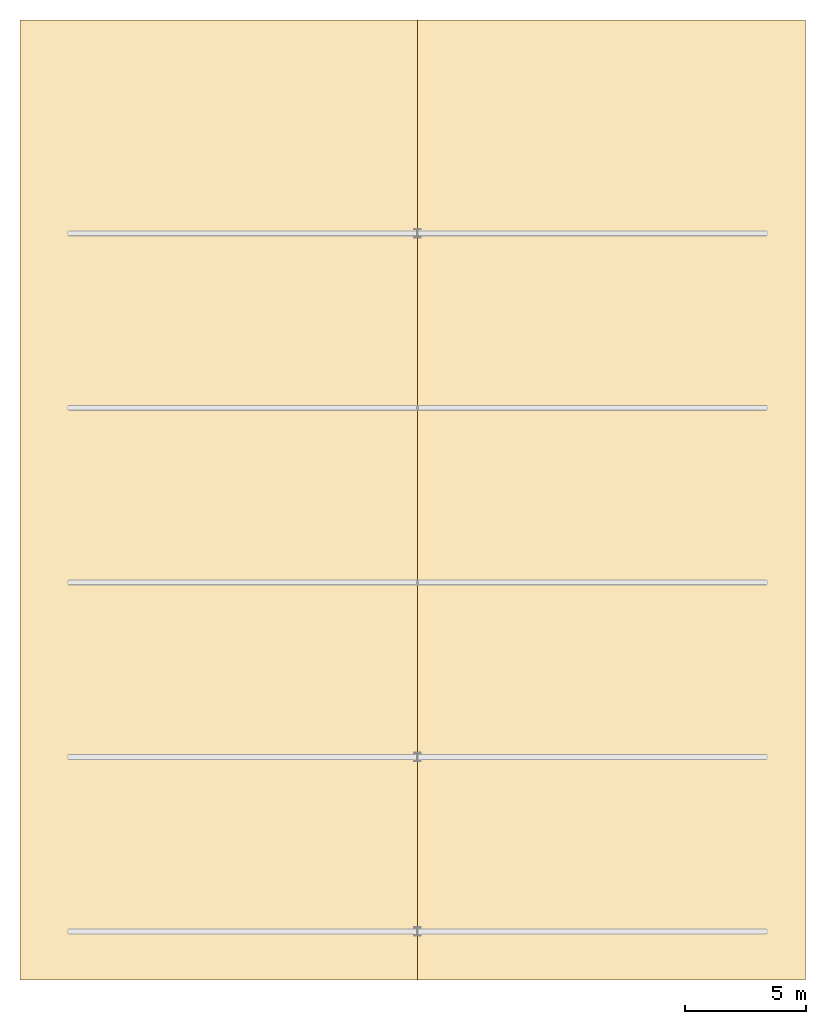
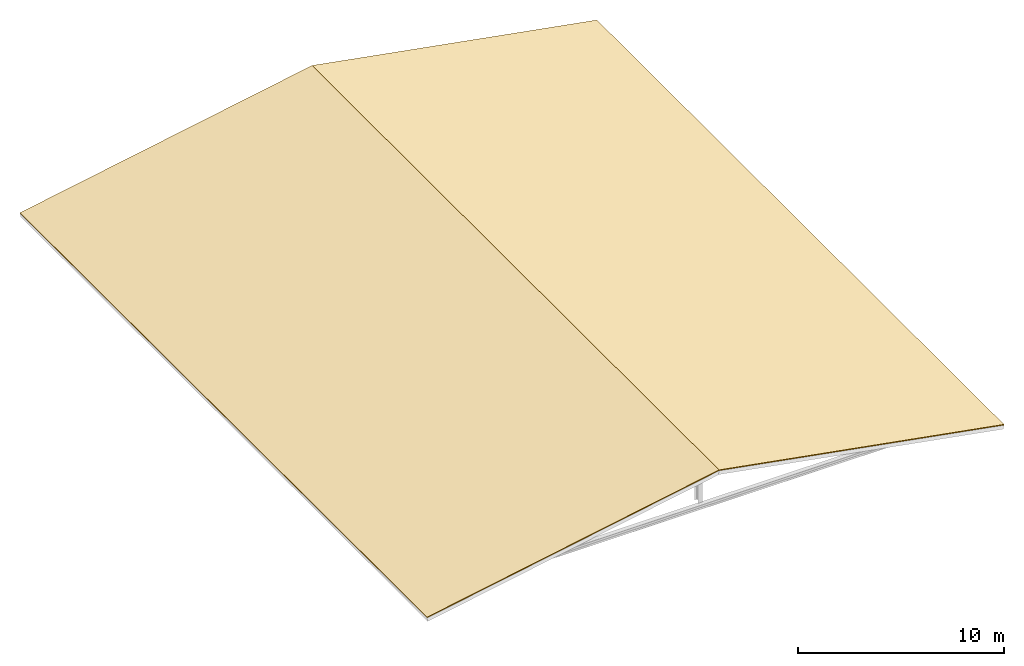
# One storey, part 3 of 3: 2 coverings, 2 elements without a shape of their own.
"""IFC4 building model written with IfcOpenShell, lengths in metres."""

from ifc_helpers import new_model, si_unit, direction, frame, origin, place, context, subcontext, project, spatial, polyline, outline, extrude, material, layer, layer_set, type_object, element, aggregate, save


model = new_model("IFC4")

# Units and contexts
model_context = context("Model", 3, precision=1e-05, world=origin(), true_north=direction((0.0, 1.0)))
body_context = subcontext(model_context, "Body", "Model", "MODEL_VIEW")
ifc_project = project(units=[si_unit("LENGTHUNIT", "METRE"), si_unit("AREAUNIT", "SQUARE_METRE"), si_unit("VOLUMEUNIT", "CUBIC_METRE"), si_unit("PLANEANGLEUNIT", "RADIAN"), si_unit("MASSUNIT", "GRAM", prefix="KILO")], contexts=[model_context])

# Site, building, storey
site_placement = place(None, origin())
site = spatial("IfcSite", under=ifc_project, at=site_placement, CompositionType="ELEMENT")
building_placement = place(site_placement, origin())
building = spatial("IfcBuilding", under=site, at=building_placement, Name="Kalmorath City Hall", CompositionType="ELEMENT")
storey_placement = place(building_placement, frame((0.0, 0.0, 35.25)))
storey = spatial("IfcBuildingStorey", under=building, at=storey_placement, Name="ROOF", CompositionType="ELEMENT", Elevation=35.25)

# Roof, covering
ifc_material_1 = material(Name="Concrete C40/50", Category="concrete")
roof_type = type_object("IfcRoofType", Name="Folded-plate steel and concrete roof assembly", PredefinedType="GABLE_ROOF", material=ifc_material_1)
roof_1_placement = place(storey_placement, origin())
roof_1 = element("IfcRoof", 1, at=roof_1_placement, inside=storey, type_object=roof_type, Name="ROOF roof assembly RFG-V1W", PredefinedType="GABLE_ROOF")
ifc_material_2 = material(Name="Weathered zinc standing-seam roofing")
ifc_layer = layer(ifc_material_2, 0.050048828125)
ifc_layer_set = layer_set([ifc_layer], Name="Weathered zinc standing-seam roofing")
covering_type = type_object("IfcCoveringType", Name="Standing-seam hurricane roof covering", PredefinedType="ROOFING", material=ifc_layer_set)
covering_1_placement = place(storey_placement, frame((-2.0, -2.0, 0.050048828125), z_axis=(-0.17994202583, 0.0, 0.983677217048), x_axis=(0.983677217048, 0.0, 0.17994202583)))
covering_1 = element("IfcCovering", 2, at=covering_1_placement, type_object=covering_type, Name="ROOF standing-seam roof covering RFG-V1W", PredefinedType="ROOFING", context=body_context, shape_type="SweptSolid", body=[
    extrude(outline(polyline([(0.0, 0.0), (16.672036374856457, 0.0), (16.672036374856457, 39.60009765625), (0.0, 39.60009765625), (0.0, 0.0)])), origin(), (0.0, 0.0, -1.0), 0.050048828125),
])
aggregate(roof_1, [covering_1])

roof_2_placement = place(storey_placement, origin())
roof_2 = element("IfcRoof", 3, at=roof_2_placement, inside=storey, type_object=roof_type, Name="ROOF roof assembly RFG-V1E", PredefinedType="GABLE_ROOF")
covering_2_placement = place(storey_placement, frame((14.39990234375, -2.0, 3.050048828125), z_axis=(0.178352950597, 0.0, 0.983966577183), x_axis=(0.983966577183, 0.0, -0.178352950597)))
covering_2 = element("IfcCovering", 4, at=covering_2_placement, type_object=covering_type, Name="ROOF standing-seam roof covering RFG-V1E", PredefinedType="ROOFING", context=body_context, shape_type="SweptSolid", body=[
    extrude(outline(polyline([(0.0, 0.0), (16.26071491758074, 0.0), (16.26071491758074, 39.60009765625), (0.0, 39.60009765625), (0.0, 0.0)])), origin(), (0.0, 0.0, -1.0), 0.050048828125),
])
aggregate(roof_2, [covering_2])

save(model, "model.ifc")
